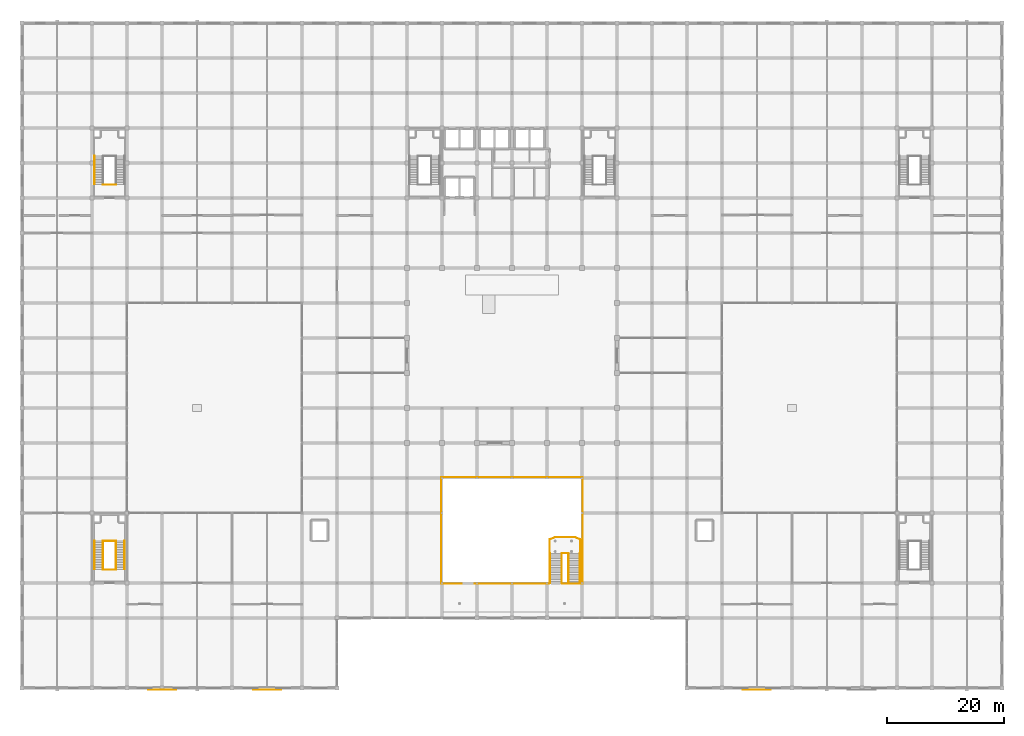
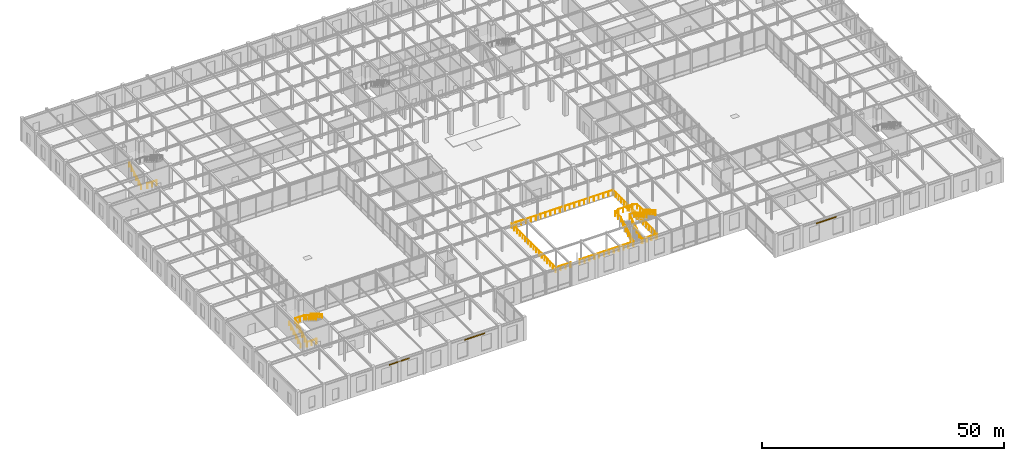
# One storey, part 107 of 108: 15 railings, 3 coverings.
"""IFC4 building model written with IfcOpenShell, lengths in metres."""

from ifc_helpers import new_model, si_unit, direction, frame, origin, origin_2d, place, context, subcontext, project, spatial, rectangle, circle, extrude, material, layer, layer_set, type_object, element, save


model = new_model("IFC4")

# Units and contexts
model_context = context("Model", 3, precision=1e-05, world=origin(), true_north=direction((0.0, 1.0)))
body_context = subcontext(model_context, "Body", "Model", "MODEL_VIEW")
ifc_project = project(units=[si_unit("LENGTHUNIT", "METRE"), si_unit("AREAUNIT", "SQUARE_METRE"), si_unit("VOLUMEUNIT", "CUBIC_METRE"), si_unit("PLANEANGLEUNIT", "RADIAN"), si_unit("MASSUNIT", "GRAM", prefix="KILO")], contexts=[model_context])

# Site, building, storey
site_placement = place(None, origin())
site = spatial("IfcSite", under=ifc_project, at=site_placement, CompositionType="ELEMENT")
building_placement = place(site_placement, origin())
building = spatial("IfcBuilding", under=site, at=building_placement, Name="Zlatovratsky Civic Hall", CompositionType="ELEMENT")
storey_placement = place(building_placement, frame((0.0, 0.0, 6.0)))
storey = spatial("IfcBuildingStorey", under=building, at=storey_placement, Name="L02", CompositionType="ELEMENT", Elevation=6.0)

# Coverings
ifc_material_1 = material(Name="Podolsk limestone ashlar", Category="masonry")
ifc_layer = layer(ifc_material_1, 0.054931640625)
ifc_layer_set = layer_set([ifc_layer], Name="Podolsk limestone ashlar")
covering_type = type_object("IfcCoveringType", Name="Covering_CorniceCladding_55", PredefinedType="CLADDING", material=ifc_layer_set)
for number, where, z_axis, x_axis, name in (
    (1, (24.0, -0.297607421875, 5.009765625), (0.0, 0.0, 1.0), (1.0, 0.0, 0.0), "CLD-005"),
    (2, (42.0, -0.297607421875, 5.009765625), (0.0, 0.0, 1.0), (1.0, 0.0, 0.0), "CLD-006"),
    (3, (126.0, -0.297607421875, 5.009765625), (0.0, 0.0, 1.0), (1.0, 0.0, 0.0), "CLD-007"),
):
    element("IfcCovering", number, at=place(storey_placement, frame(where, z_axis=z_axis, x_axis=x_axis)), inside=storey, type_object=covering_type, Name=name, PredefinedType="CLADDING", context=body_context, shape_type="SweptSolid", body=[
        extrude(rectangle(XDim=4.800048828125, YDim=0.054931640625, at=origin_2d()), origin(), (0.0, 0.0, 1.0), 0.300048828125),
    ])

# Railings
ifc_material_2 = material(Name="Brushed stainless steel AISI 304", Category="steel")
railing_type_1 = type_object("IfcRailingType", Name="Railing_Guardrail_1200", PredefinedType="GUARDRAIL", material=ifc_material_2)
railing_1_placement = place(storey_placement, frame((13.889892578125, 20.35009765625, 0.0)))
element("IfcRailing", 4, at=railing_1_placement, inside=storey, type_object=railing_type_1, Name="RL-0656", PredefinedType="GUARDRAIL", context=body_context, shape_type="SweptSolid", body=[
    extrude(circle(Radius=0.02392578125, at=origin_2d()), frame((0.0, 0.0, 1.17578125), z_axis=(0.0, 0.850207620408, 0.526447530339), x_axis=(-1.0, 0.0, 0.0)), (0.0, 0.0, 1.0), 5.698486328125),
    extrude(circle(Radius=0.02392578125, at=origin_2d()), frame((0.0, 4.844970703125, 4.17578125), z_axis=(1.0, 0.0, 0.0), x_axis=(0.0, 1.0, 0.0)), (0.0, 0.0, 1.0), 2.22021484375),
    extrude(circle(Radius=0.02392578125, at=origin_2d()), frame((2.22021484375, 4.844970703125, 4.17578125), z_axis=(0.0, -0.850207620408, 0.526447530339), x_axis=(1.0, 0.0, 0.0)), (0.0, 0.0, 1.0), 5.698486328125),
    extrude(circle(Radius=0.02099609375, at=origin_2d()), origin(), (0.0, 0.0, 1.0), 1.15185546875),
    extrude(circle(Radius=0.02099609375, at=origin_2d()), frame((0.0, 0.968994140625, 0.60009765625)), (0.0, 0.0, 1.0), 1.15185546875),
    extrude(circle(Radius=0.02099609375, at=origin_2d()), frame((0.0, 1.93798828125, 1.199951171875)), (0.0, 0.0, 1.0), 1.15185546875),
    extrude(circle(Radius=0.02099609375, at=origin_2d()), frame((0.0, 2.906982421875, 1.800048828125)), (0.0, 0.0, 1.0), 1.15185546875),
    extrude(circle(Radius=0.02099609375, at=origin_2d()), frame((0.0, 3.8759765625, 2.39990234375)), (0.0, 0.0, 1.0), 1.15185546875),
    extrude(circle(Radius=0.02099609375, at=origin_2d()), frame((0.0, 4.844970703125, 3.0)), (0.0, 0.0, 1.0), 1.15185546875),
    extrude(circle(Radius=0.02099609375, at=origin_2d()), frame((1.110107421875, 4.844970703125, 3.0)), (0.0, 0.0, 1.0), 1.15185546875),
    extrude(circle(Radius=0.02099609375, at=origin_2d()), frame((2.22021484375, 4.844970703125, 3.0)), (0.0, 0.0, 1.0), 1.15185546875),
    extrude(circle(Radius=0.02099609375, at=origin_2d()), frame((2.22021484375, 3.8759765625, 3.60009765625)), (0.0, 0.0, 1.0), 1.15185546875),
    extrude(circle(Radius=0.02099609375, at=origin_2d()), frame((2.22021484375, 2.906982421875, 4.199951171875)), (0.0, 0.0, 1.0), 1.15185546875),
    extrude(circle(Radius=0.02099609375, at=origin_2d()), frame((2.22021484375, 1.93798828125, 4.800048828125)), (0.0, 0.0, 1.0), 1.15185546875),
    extrude(circle(Radius=0.02099609375, at=origin_2d()), frame((2.22021484375, 0.968994140625, 5.39990234375)), (0.0, 0.0, 1.0), 1.15185546875),
    extrude(circle(Radius=0.02099609375, at=origin_2d()), frame((2.22021484375, 0.0, 6.0)), (0.0, 0.0, 1.0), 1.15185546875),
])
for number, where, name in (
    (5, (13.889892578125, 20.27001953125, 0.0), "RL-0659"),
    (6, (13.889892578125, 86.27001953125, 0.0), "RL-0691"),
):
    element("IfcRailing", number, at=place(storey_placement, frame(where)), inside=storey, type_object=railing_type_1, Name=name, PredefinedType="GUARDRAIL", context=body_context, shape_type="SweptSolid", body=[
        extrude(circle(Radius=0.02392578125, at=origin_2d()), frame((0.0, 0.0, 1.17578125), z_axis=(1.0, 0.0, 0.0), x_axis=(0.0, 1.0, 0.0)), (0.0, 0.0, 1.0), 2.22021484375),
        extrude(circle(Radius=0.02099609375, at=origin_2d()), origin(), (0.0, 0.0, 1.0), 1.15185546875),
        extrude(circle(Radius=0.02099609375, at=origin_2d()), frame((1.110107421875, 0.0, 0.0)), (0.0, 0.0, 1.0), 1.15185546875),
        extrude(circle(Radius=0.02099609375, at=origin_2d()), frame((2.22021484375, 0.0, 0.0)), (0.0, 0.0, 1.0), 1.15185546875),
    ])
railing_2_placement = place(storey_placement, frame((90.47998046875, 23.10009765625, 3.0)))
element("IfcRailing", 7, at=railing_2_placement, inside=storey, type_object=railing_type_1, Name="RL-0719", PredefinedType="GUARDRAIL", context=body_context, shape_type="SweptSolid", body=[
    extrude(circle(Radius=0.02392578125, at=origin_2d()), frame((0.0, 0.0, 1.17578125), z_axis=(0.0, 1.0, 0.0), x_axis=(-1.0, 0.0, 0.0)), (0.0, 0.0, 1.0), 2.35986328125),
    extrude(circle(Radius=0.02392578125, at=origin_2d()), frame((0.0, 2.35986328125, 1.17578125), z_axis=(0.927058431339, 0.374916877298, 0.0), x_axis=(-0.374916877298, 0.927058431339, 0.0)), (0.0, 0.0, 1.0), 1.013916015625),
    extrude(circle(Radius=0.02392578125, at=origin_2d()), frame((0.93994140625, 2.739990234375, 1.17578125), z_axis=(1.0, 0.0, 0.0), x_axis=(0.0, 1.0, 0.0)), (0.0, 0.0, 1.0), 3.360107421875),
    extrude(circle(Radius=0.02392578125, at=origin_2d()), frame((4.300048828125, 2.739990234375, 1.17578125), z_axis=(0.927058431339, -0.374916877298, 0.0), x_axis=(0.374916877298, 0.927058431339, 0.0)), (0.0, 0.0, 1.0), 1.013916015625),
    extrude(circle(Radius=0.02392578125, at=origin_2d()), frame((5.239990234375, 2.35986328125, 1.17578125), z_axis=(0.0, -1.0, 0.0), x_axis=(1.0, 0.0, 0.0)), (0.0, 0.0, 1.0), 2.35986328125),
    extrude(circle(Radius=0.02099609375, at=origin_2d()), origin(), (0.0, 0.0, 1.0), 1.15185546875),
    extrude(circle(Radius=0.02099609375, at=origin_2d()), frame((0.0, 1.179931640625, 0.0)), (0.0, 0.0, 1.0), 1.15185546875),
    extrude(circle(Radius=0.02099609375, at=origin_2d()), frame((0.0, 2.35986328125, 0.0)), (0.0, 0.0, 1.0), 1.15185546875),
    extrude(circle(Radius=0.02099609375, at=origin_2d()), frame((0.93994140625, 2.739990234375, 0.0)), (0.0, 0.0, 1.0), 1.15185546875),
    extrude(circle(Radius=0.02099609375, at=origin_2d()), frame((2.06005859375, 2.739990234375, 0.0)), (0.0, 0.0, 1.0), 1.15185546875),
    extrude(circle(Radius=0.02099609375, at=origin_2d()), frame((3.179931640625, 2.739990234375, 0.0)), (0.0, 0.0, 1.0), 1.15185546875),
    extrude(circle(Radius=0.02099609375, at=origin_2d()), frame((4.300048828125, 2.739990234375, 0.0)), (0.0, 0.0, 1.0), 1.15185546875),
    extrude(circle(Radius=0.02099609375, at=origin_2d()), frame((5.239990234375, 2.35986328125, 0.0)), (0.0, 0.0, 1.0), 1.15185546875),
    extrude(circle(Radius=0.02099609375, at=origin_2d()), frame((5.239990234375, 1.179931640625, 0.0)), (0.0, 0.0, 1.0), 1.15185546875),
    extrude(circle(Radius=0.02099609375, at=origin_2d()), frame((5.239990234375, 0.0, 0.0)), (0.0, 0.0, 1.0), 1.15185546875),
])
railing_3_placement = place(storey_placement, frame((92.52001953125, 18.0, 0.0)))
element("IfcRailing", 8, at=railing_3_placement, inside=storey, type_object=railing_type_1, Name="RL-0720", PredefinedType="GUARDRAIL", context=body_context, shape_type="SweptSolid", body=[
    extrude(circle(Radius=0.02392578125, at=origin_2d()), frame((0.0, 0.0, 1.17578125), z_axis=(0.0, 0.861938457885, 0.507012913858), x_axis=(-1.0, 0.0, 0.0)), (0.0, 0.0, 1.0), 5.9169921875),
    extrude(circle(Radius=0.02392578125, at=origin_2d()), frame((0.0, 5.10009765625, 4.17578125), z_axis=(1.0, 0.0, 0.0), x_axis=(0.0, 1.0, 0.0)), (0.0, 0.0, 1.0), 1.159912109375),
    extrude(circle(Radius=0.02392578125, at=origin_2d()), frame((1.159912109375, 5.10009765625, 4.17578125), z_axis=(0.0, -0.861938457885, 0.507012913858), x_axis=(1.0, 0.0, 0.0)), (0.0, 0.0, 1.0), 5.9169921875),
    extrude(circle(Radius=0.02099609375, at=origin_2d()), origin(), (0.0, 0.0, 1.0), 1.15185546875),
    extrude(circle(Radius=0.02099609375, at=origin_2d()), frame((0.0, 1.02001953125, 0.60009765625)), (0.0, 0.0, 1.0), 1.15185546875),
    extrude(circle(Radius=0.02099609375, at=origin_2d()), frame((0.0, 2.0400390625, 1.199951171875)), (0.0, 0.0, 1.0), 1.15185546875),
    extrude(circle(Radius=0.02099609375, at=origin_2d()), frame((0.0, 3.06005859375, 1.800048828125)), (0.0, 0.0, 1.0), 1.15185546875),
    extrude(circle(Radius=0.02099609375, at=origin_2d()), frame((0.0, 4.080078125, 2.39990234375)), (0.0, 0.0, 1.0), 1.15185546875),
    extrude(circle(Radius=0.02099609375, at=origin_2d()), frame((0.0, 5.10009765625, 3.0)), (0.0, 0.0, 1.0), 1.15185546875),
    extrude(circle(Radius=0.02099609375, at=origin_2d()), frame((1.159912109375, 5.10009765625, 3.0)), (0.0, 0.0, 1.0), 1.15185546875),
    extrude(circle(Radius=0.02099609375, at=origin_2d()), frame((1.159912109375, 4.080078125, 3.60009765625)), (0.0, 0.0, 1.0), 1.15185546875),
    extrude(circle(Radius=0.02099609375, at=origin_2d()), frame((1.159912109375, 3.06005859375, 4.199951171875)), (0.0, 0.0, 1.0), 1.15185546875),
    extrude(circle(Radius=0.02099609375, at=origin_2d()), frame((1.159912109375, 2.0400390625, 4.800048828125)), (0.0, 0.0, 1.0), 1.15185546875),
    extrude(circle(Radius=0.02099609375, at=origin_2d()), frame((1.159912109375, 1.02001953125, 5.39990234375)), (0.0, 0.0, 1.0), 1.15185546875),
    extrude(circle(Radius=0.02099609375, at=origin_2d()), frame((1.159912109375, 0.0, 6.0)), (0.0, 0.0, 1.0), 1.15185546875),
])
railing_4_placement = place(storey_placement, frame((90.47998046875, 18.0, 0.0)))
element("IfcRailing", 9, at=railing_4_placement, inside=storey, type_object=railing_type_1, Name="RL-0721", PredefinedType="GUARDRAIL", context=body_context, shape_type="SweptSolid", body=[
    extrude(circle(Radius=0.02392578125, at=origin_2d()), frame((0.0, 0.0, 1.17578125), z_axis=(0.0, 0.861938457885, 0.507012913858), x_axis=(-1.0, 0.0, 0.0)), (0.0, 0.0, 1.0), 5.9169921875),
    extrude(circle(Radius=0.02099609375, at=origin_2d()), origin(), (0.0, 0.0, 1.0), 1.15185546875),
    extrude(circle(Radius=0.02099609375, at=origin_2d()), frame((0.0, 1.02001953125, 0.60009765625)), (0.0, 0.0, 1.0), 1.15185546875),
    extrude(circle(Radius=0.02099609375, at=origin_2d()), frame((0.0, 2.0400390625, 1.199951171875)), (0.0, 0.0, 1.0), 1.15185546875),
    extrude(circle(Radius=0.02099609375, at=origin_2d()), frame((0.0, 3.06005859375, 1.800048828125)), (0.0, 0.0, 1.0), 1.15185546875),
    extrude(circle(Radius=0.02099609375, at=origin_2d()), frame((0.0, 4.080078125, 2.39990234375)), (0.0, 0.0, 1.0), 1.15185546875),
    extrude(circle(Radius=0.02099609375, at=origin_2d()), frame((0.0, 5.10009765625, 3.0)), (0.0, 0.0, 1.0), 1.15185546875),
])
railing_5_placement = place(storey_placement, frame((95.719970703125, 23.10009765625, 3.0)))
element("IfcRailing", 10, at=railing_5_placement, inside=storey, type_object=railing_type_1, Name="RL-0722", PredefinedType="GUARDRAIL", context=body_context, shape_type="SweptSolid", body=[
    extrude(circle(Radius=0.02392578125, at=origin_2d()), frame((0.0, 0.0, 1.17578125), z_axis=(0.0, -0.861938457885, 0.507012913858), x_axis=(1.0, 0.0, 0.0)), (0.0, 0.0, 1.0), 5.9169921875),
    extrude(circle(Radius=0.02099609375, at=origin_2d()), origin(), (0.0, 0.0, 1.0), 1.15185546875),
    extrude(circle(Radius=0.02099609375, at=origin_2d()), frame((0.0, -1.02001953125, 0.60009765625)), (0.0, 0.0, 1.0), 1.15185546875),
    extrude(circle(Radius=0.02099609375, at=origin_2d()), frame((0.0, -2.0400390625, 1.199951171875)), (0.0, 0.0, 1.0), 1.15185546875),
    extrude(circle(Radius=0.02099609375, at=origin_2d()), frame((0.0, -3.06005859375, 1.800048828125)), (0.0, 0.0, 1.0), 1.15185546875),
    extrude(circle(Radius=0.02099609375, at=origin_2d()), frame((0.0, -4.080078125, 2.39990234375)), (0.0, 0.0, 1.0), 1.15185546875),
    extrude(circle(Radius=0.02099609375, at=origin_2d()), frame((0.0, -5.10009765625, 3.0)), (0.0, 0.0, 1.0), 1.15185546875),
])
railing_6_placement = place(storey_placement, frame((75.39990234375, 17.8798828125, 0.0)))
element("IfcRailing", 11, at=railing_6_placement, inside=storey, type_object=railing_type_1, Name="RL-0725", PredefinedType="GUARDRAIL", context=body_context, shape_type="SweptSolid", body=[
    extrude(circle(Radius=0.02392578125, at=origin_2d()), frame((0.0, 0.0, 1.17578125), z_axis=(-1.0, 0.0, 0.0), x_axis=(0.0, -1.0, 0.0)), (0.0, 0.0, 1.0), 3.52001953125),
    extrude(circle(Radius=0.02392578125, at=origin_2d()), frame((-3.52001953125, 0.0, 1.17578125), z_axis=(0.0, 1.0, 0.0), x_axis=(-1.0, 0.0, 0.0)), (0.0, 0.0, 1.0), 18.240234375),
    extrude(circle(Radius=0.02392578125, at=origin_2d()), frame((-3.52001953125, 18.240234375, 1.17578125), z_axis=(1.0, 0.0, 0.0), x_axis=(0.0, 1.0, 0.0)), (0.0, 0.0, 1.0), 24.240234375),
    extrude(circle(Radius=0.02392578125, at=origin_2d()), frame((20.72021484375, 18.240234375, 1.17578125), z_axis=(0.0, -1.0, 0.0), x_axis=(1.0, 0.0, 0.0)), (0.0, 0.0, 1.0), 18.240234375),
    extrude(circle(Radius=0.02392578125, at=origin_2d()), frame((20.72021484375, 0.0, 1.17578125), z_axis=(-1.0, 0.0, 0.0), x_axis=(0.0, -1.0, 0.0)), (0.0, 0.0, 1.0), 0.320068359375),
    extrude(circle(Radius=0.02099609375, at=origin_2d()), origin(), (0.0, 0.0, 1.0), 1.15185546875),
    extrude(circle(Radius=0.02099609375, at=origin_2d()), frame((-1.17333984375, 0.0, 0.0)), (0.0, 0.0, 1.0), 1.15185546875),
    extrude(circle(Radius=0.02099609375, at=origin_2d()), frame((-2.3466796875, 0.0, 0.0)), (0.0, 0.0, 1.0), 1.15185546875),
    extrude(circle(Radius=0.02099609375, at=origin_2d()), frame((-3.52001953125, 0.0, 0.0)), (0.0, 0.0, 1.0), 1.15185546875),
    extrude(circle(Radius=0.02099609375, at=origin_2d()), frame((-3.52001953125, 1.14013671875, 0.0)), (0.0, 0.0, 1.0), 1.15185546875),
    extrude(circle(Radius=0.02099609375, at=origin_2d()), frame((-3.52001953125, 2.280029296875, 0.0)), (0.0, 0.0, 1.0), 1.15185546875),
    extrude(circle(Radius=0.02099609375, at=origin_2d()), frame((-3.52001953125, 3.419921875, 0.0)), (0.0, 0.0, 1.0), 1.15185546875),
    extrude(circle(Radius=0.02099609375, at=origin_2d()), frame((-3.52001953125, 4.56005859375, 0.0)), (0.0, 0.0, 1.0), 1.15185546875),
    extrude(circle(Radius=0.02099609375, at=origin_2d()), frame((-3.52001953125, 5.7001953125, 0.0)), (0.0, 0.0, 1.0), 1.15185546875),
    extrude(circle(Radius=0.02099609375, at=origin_2d()), frame((-3.52001953125, 6.840087890625, 0.0)), (0.0, 0.0, 1.0), 1.15185546875),
    extrude(circle(Radius=0.02099609375, at=origin_2d()), frame((-3.52001953125, 7.97998046875, 0.0)), (0.0, 0.0, 1.0), 1.15185546875),
    extrude(circle(Radius=0.02099609375, at=origin_2d()), frame((-3.52001953125, 9.1201171875, 0.0)), (0.0, 0.0, 1.0), 1.15185546875),
    extrude(circle(Radius=0.02099609375, at=origin_2d()), frame((-3.52001953125, 10.26025390625, 0.0)), (0.0, 0.0, 1.0), 1.15185546875),
    extrude(circle(Radius=0.02099609375, at=origin_2d()), frame((-3.52001953125, 11.400146484375, 0.0)), (0.0, 0.0, 1.0), 1.15185546875),
    extrude(circle(Radius=0.02099609375, at=origin_2d()), frame((-3.52001953125, 12.5400390625, 0.0)), (0.0, 0.0, 1.0), 1.15185546875),
    extrude(circle(Radius=0.02099609375, at=origin_2d()), frame((-3.52001953125, 13.68017578125, 0.0)), (0.0, 0.0, 1.0), 1.15185546875),
    extrude(circle(Radius=0.02099609375, at=origin_2d()), frame((-3.52001953125, 14.8203125, 0.0)), (0.0, 0.0, 1.0), 1.15185546875),
    extrude(circle(Radius=0.02099609375, at=origin_2d()), frame((-3.52001953125, 15.960205078125, 0.0)), (0.0, 0.0, 1.0), 1.15185546875),
    extrude(circle(Radius=0.02099609375, at=origin_2d()), frame((-3.52001953125, 17.10009765625, 0.0)), (0.0, 0.0, 1.0), 1.15185546875),
    extrude(circle(Radius=0.02099609375, at=origin_2d()), frame((-3.52001953125, 18.240234375, 0.0)), (0.0, 0.0, 1.0), 1.15185546875),
    extrude(circle(Radius=0.02099609375, at=origin_2d()), frame((-2.36572265625, 18.240234375, 0.0)), (0.0, 0.0, 1.0), 1.15185546875),
    extrude(circle(Radius=0.02099609375, at=origin_2d()), frame((-1.21142578125, 18.240234375, 0.0)), (0.0, 0.0, 1.0), 1.15185546875),
    extrude(circle(Radius=0.02099609375, at=origin_2d()), frame((-0.05712890625, 18.240234375, 0.0)), (0.0, 0.0, 1.0), 1.15185546875),
    extrude(circle(Radius=0.02099609375, at=origin_2d()), frame((1.09716796875, 18.240234375, 0.0)), (0.0, 0.0, 1.0), 1.15185546875),
    extrude(circle(Radius=0.02099609375, at=origin_2d()), frame((2.25146484375, 18.240234375, 0.0)), (0.0, 0.0, 1.0), 1.15185546875),
    extrude(circle(Radius=0.02099609375, at=origin_2d()), frame((3.40576171875, 18.240234375, 0.0)), (0.0, 0.0, 1.0), 1.15185546875),
    extrude(circle(Radius=0.02099609375, at=origin_2d()), frame((4.56005859375, 18.240234375, 0.0)), (0.0, 0.0, 1.0), 1.15185546875),
    extrude(circle(Radius=0.02099609375, at=origin_2d()), frame((5.71435546875, 18.240234375, 0.0)), (0.0, 0.0, 1.0), 1.15185546875),
    extrude(circle(Radius=0.02099609375, at=origin_2d()), frame((6.86865234375, 18.240234375, 0.0)), (0.0, 0.0, 1.0), 1.15185546875),
    extrude(circle(Radius=0.02099609375, at=origin_2d()), frame((8.02294921875, 18.240234375, 0.0)), (0.0, 0.0, 1.0), 1.15185546875),
    extrude(circle(Radius=0.02099609375, at=origin_2d()), frame((9.17724609375, 18.240234375, 0.0)), (0.0, 0.0, 1.0), 1.15185546875),
    extrude(circle(Radius=0.02099609375, at=origin_2d()), frame((10.33154296875, 18.240234375, 0.0)), (0.0, 0.0, 1.0), 1.15185546875),
    extrude(circle(Radius=0.02099609375, at=origin_2d()), frame((11.48583984375, 18.240234375, 0.0)), (0.0, 0.0, 1.0), 1.15185546875),
    extrude(circle(Radius=0.02099609375, at=origin_2d()), frame((12.64013671875, 18.240234375, 0.0)), (0.0, 0.0, 1.0), 1.15185546875),
    extrude(circle(Radius=0.02099609375, at=origin_2d()), frame((13.79443359375, 18.240234375, 0.0)), (0.0, 0.0, 1.0), 1.15185546875),
    extrude(circle(Radius=0.02099609375, at=origin_2d()), frame((14.94873046875, 18.240234375, 0.0)), (0.0, 0.0, 1.0), 1.15185546875),
    extrude(circle(Radius=0.02099609375, at=origin_2d()), frame((16.10302734375, 18.240234375, 0.0)), (0.0, 0.0, 1.0), 1.15185546875),
    extrude(circle(Radius=0.02099609375, at=origin_2d()), frame((17.25732421875, 18.240234375, 0.0)), (0.0, 0.0, 1.0), 1.15185546875),
    extrude(circle(Radius=0.02099609375, at=origin_2d()), frame((18.41162109375, 18.240234375, 0.0)), (0.0, 0.0, 1.0), 1.15185546875),
    extrude(circle(Radius=0.02099609375, at=origin_2d()), frame((19.56591796875, 18.240234375, 0.0)), (0.0, 0.0, 1.0), 1.15185546875),
    extrude(circle(Radius=0.02099609375, at=origin_2d()), frame((20.72021484375, 18.240234375, 0.0)), (0.0, 0.0, 1.0), 1.15185546875),
    extrude(circle(Radius=0.02099609375, at=origin_2d()), frame((20.72021484375, 17.10009765625, 0.0)), (0.0, 0.0, 1.0), 1.15185546875),
    extrude(circle(Radius=0.02099609375, at=origin_2d()), frame((20.72021484375, 15.960205078125, 0.0)), (0.0, 0.0, 1.0), 1.15185546875),
    extrude(circle(Radius=0.02099609375, at=origin_2d()), frame((20.72021484375, 14.8203125, 0.0)), (0.0, 0.0, 1.0), 1.15185546875),
    extrude(circle(Radius=0.02099609375, at=origin_2d()), frame((20.72021484375, 13.68017578125, 0.0)), (0.0, 0.0, 1.0), 1.15185546875),
    extrude(circle(Radius=0.02099609375, at=origin_2d()), frame((20.72021484375, 12.5400390625, 0.0)), (0.0, 0.0, 1.0), 1.15185546875),
    extrude(circle(Radius=0.02099609375, at=origin_2d()), frame((20.72021484375, 11.400146484375, 0.0)), (0.0, 0.0, 1.0), 1.15185546875),
    extrude(circle(Radius=0.02099609375, at=origin_2d()), frame((20.72021484375, 10.26025390625, 0.0)), (0.0, 0.0, 1.0), 1.15185546875),
    extrude(circle(Radius=0.02099609375, at=origin_2d()), frame((20.72021484375, 9.1201171875, 0.0)), (0.0, 0.0, 1.0), 1.15185546875),
    extrude(circle(Radius=0.02099609375, at=origin_2d()), frame((20.72021484375, 7.97998046875, 0.0)), (0.0, 0.0, 1.0), 1.15185546875),
    extrude(circle(Radius=0.02099609375, at=origin_2d()), frame((20.72021484375, 6.840087890625, 0.0)), (0.0, 0.0, 1.0), 1.15185546875),
    extrude(circle(Radius=0.02099609375, at=origin_2d()), frame((20.72021484375, 5.7001953125, 0.0)), (0.0, 0.0, 1.0), 1.15185546875),
    extrude(circle(Radius=0.02099609375, at=origin_2d()), frame((20.72021484375, 4.56005859375, 0.0)), (0.0, 0.0, 1.0), 1.15185546875),
    extrude(circle(Radius=0.02099609375, at=origin_2d()), frame((20.72021484375, 3.419921875, 0.0)), (0.0, 0.0, 1.0), 1.15185546875),
    extrude(circle(Radius=0.02099609375, at=origin_2d()), frame((20.72021484375, 2.280029296875, 0.0)), (0.0, 0.0, 1.0), 1.15185546875),
    extrude(circle(Radius=0.02099609375, at=origin_2d()), frame((20.72021484375, 1.14013671875, 0.0)), (0.0, 0.0, 1.0), 1.15185546875),
    extrude(circle(Radius=0.02099609375, at=origin_2d()), frame((20.72021484375, 0.0, 0.0)), (0.0, 0.0, 1.0), 1.15185546875),
    extrude(circle(Radius=0.02099609375, at=origin_2d()), frame((20.400146484375, 0.0, 0.0)), (0.0, 0.0, 1.0), 1.15185546875),
])
railing_7_placement = place(storey_placement, frame((77.60009765625, 17.8798828125, 0.0)))
element("IfcRailing", 12, at=railing_7_placement, inside=storey, type_object=railing_type_1, Name="RL-0726", PredefinedType="GUARDRAIL", context=body_context, shape_type="SweptSolid", body=[
    extrude(circle(Radius=0.02392578125, at=origin_2d()), frame((0.0, 0.0, 1.17578125), z_axis=(1.0, 0.0, 0.0), x_axis=(0.0, 1.0, 0.0)), (0.0, 0.0, 1.0), 12.7998046875),
    extrude(circle(Radius=0.02099609375, at=origin_2d()), origin(), (0.0, 0.0, 1.0), 1.15185546875),
    extrude(circle(Radius=0.02099609375, at=origin_2d()), frame((1.16357421875, 0.0, 0.0)), (0.0, 0.0, 1.0), 1.15185546875),
    extrude(circle(Radius=0.02099609375, at=origin_2d()), frame((2.3271484375, 0.0, 0.0)), (0.0, 0.0, 1.0), 1.15185546875),
    extrude(circle(Radius=0.02099609375, at=origin_2d()), frame((3.490966796875, 0.0, 0.0)), (0.0, 0.0, 1.0), 1.15185546875),
    extrude(circle(Radius=0.02099609375, at=origin_2d()), frame((4.654541015625, 0.0, 0.0)), (0.0, 0.0, 1.0), 1.15185546875),
    extrude(circle(Radius=0.02099609375, at=origin_2d()), frame((5.818115234375, 0.0, 0.0)), (0.0, 0.0, 1.0), 1.15185546875),
    extrude(circle(Radius=0.02099609375, at=origin_2d()), frame((6.981689453125, 0.0, 0.0)), (0.0, 0.0, 1.0), 1.15185546875),
    extrude(circle(Radius=0.02099609375, at=origin_2d()), frame((8.145263671875, 0.0, 0.0)), (0.0, 0.0, 1.0), 1.15185546875),
    extrude(circle(Radius=0.02099609375, at=origin_2d()), frame((9.308837890625, 0.0, 0.0)), (0.0, 0.0, 1.0), 1.15185546875),
    extrude(circle(Radius=0.02099609375, at=origin_2d()), frame((10.47265625, 0.0, 0.0)), (0.0, 0.0, 1.0), 1.15185546875),
    extrude(circle(Radius=0.02099609375, at=origin_2d()), frame((11.63623046875, 0.0, 0.0)), (0.0, 0.0, 1.0), 1.15185546875),
    extrude(circle(Radius=0.02099609375, at=origin_2d()), frame((12.7998046875, 0.0, 0.0)), (0.0, 0.0, 1.0), 1.15185546875),
])
railing_8_placement = place(storey_placement, frame((92.60009765625, 17.8798828125, 0.0)))
element("IfcRailing", 13, at=railing_8_placement, inside=storey, type_object=railing_type_1, Name="RL-0727", PredefinedType="GUARDRAIL", context=body_context, shape_type="SweptSolid", body=[
    extrude(circle(Radius=0.02392578125, at=origin_2d()), frame((0.0, 0.0, 1.17578125), z_axis=(1.0, 0.0, 0.0), x_axis=(0.0, 1.0, 0.0)), (0.0, 0.0, 1.0), 3.199951171875),
    extrude(circle(Radius=0.02099609375, at=origin_2d()), origin(), (0.0, 0.0, 1.0), 1.15185546875),
    extrude(circle(Radius=0.02099609375, at=origin_2d()), frame((1.066650390625, 0.0, 0.0)), (0.0, 0.0, 1.0), 1.15185546875),
    extrude(circle(Radius=0.02099609375, at=origin_2d()), frame((2.13330078125, 0.0, 0.0)), (0.0, 0.0, 1.0), 1.15185546875),
    extrude(circle(Radius=0.02099609375, at=origin_2d()), frame((3.199951171875, 0.0, 0.0)), (0.0, 0.0, 1.0), 1.15185546875),
])
railing_type_2 = type_object("IfcRailingType", Name="Railing_Handrail_900", PredefinedType="HANDRAIL", material=ifc_material_2)
railing_9_placement = place(storey_placement, frame((12.429931640625, 20.35009765625, 0.1669921875)))
element("IfcRailing", 14, at=railing_9_placement, inside=storey, type_object=railing_type_2, Name="RL-0657", PredefinedType="HANDRAIL", context=body_context, shape_type="SweptSolid", body=[
    extrude(circle(Radius=0.02392578125, at=origin_2d()), frame((0.0, 0.0, 0.8759765625), z_axis=(0.0, 0.86325305323, 0.504771399833), x_axis=(-1.0, 0.0, 0.0)), (0.0, 0.0, 1.0), 5.612548828125),
    extrude(circle(Radius=0.02099609375, at=origin_2d()), origin(), (0.0, 0.0, 1.0), 0.851806640625),
    extrude(circle(Radius=0.02099609375, at=origin_2d()), frame((0.0, 0.968994140625, 0.566650390625)), (0.0, 0.0, 1.0), 0.851806640625),
    extrude(circle(Radius=0.02099609375, at=origin_2d()), frame((0.0, 1.93798828125, 1.13330078125)), (0.0, 0.0, 1.0), 0.851806640625),
    extrude(circle(Radius=0.02099609375, at=origin_2d()), frame((0.0, 2.906982421875, 1.69970703125)), (0.0, 0.0, 1.0), 0.851806640625),
    extrude(circle(Radius=0.02099609375, at=origin_2d()), frame((0.0, 3.8759765625, 2.266357421875)), (0.0, 0.0, 1.0), 0.851806640625),
    extrude(circle(Radius=0.02099609375, at=origin_2d()), frame((0.0, 4.844970703125, 2.8330078125)), (0.0, 0.0, 1.0), 0.851806640625),
])
railing_10_placement = place(storey_placement, frame((17.570068359375, 25.195068359375, 3.1669921875)))
element("IfcRailing", 15, at=railing_10_placement, inside=storey, type_object=railing_type_2, Name="RL-0658", PredefinedType="HANDRAIL", context=body_context, shape_type="SweptSolid", body=[
    extrude(circle(Radius=0.02392578125, at=origin_2d()), frame((0.0, 0.0, 0.8759765625), z_axis=(0.0, -0.86325305323, 0.504771399833), x_axis=(1.0, 0.0, 0.0)), (0.0, 0.0, 1.0), 5.612548828125),
    extrude(circle(Radius=0.02099609375, at=origin_2d()), origin(), (0.0, 0.0, 1.0), 0.851806640625),
    extrude(circle(Radius=0.02099609375, at=origin_2d()), frame((0.0, -0.968994140625, 0.566650390625)), (0.0, 0.0, 1.0), 0.851806640625),
    extrude(circle(Radius=0.02099609375, at=origin_2d()), frame((0.0, -1.93798828125, 1.13330078125)), (0.0, 0.0, 1.0), 0.851806640625),
    extrude(circle(Radius=0.02099609375, at=origin_2d()), frame((0.0, -2.906982421875, 1.69970703125)), (0.0, 0.0, 1.0), 0.851806640625),
    extrude(circle(Radius=0.02099609375, at=origin_2d()), frame((0.0, -3.8759765625, 2.266357421875)), (0.0, 0.0, 1.0), 0.851806640625),
    extrude(circle(Radius=0.02099609375, at=origin_2d()), frame((0.0, -4.844970703125, 2.8330078125)), (0.0, 0.0, 1.0), 0.851806640625),
])
railing_11_placement = place(storey_placement, frame((12.429931640625, 86.35009765625, 0.1669921875)))
element("IfcRailing", 16, at=railing_11_placement, inside=storey, type_object=railing_type_2, Name="RL-0689", PredefinedType="HANDRAIL", context=body_context, shape_type="SweptSolid", body=[
    extrude(circle(Radius=0.02392578125, at=origin_2d()), frame((0.0, 0.0, 0.8759765625), z_axis=(0.0, 0.86325305323, 0.504771399833), x_axis=(-1.0, 0.0, 0.0)), (0.0, 0.0, 1.0), 5.612548828125),
    extrude(circle(Radius=0.02099609375, at=origin_2d()), origin(), (0.0, 0.0, 1.0), 0.851806640625),
    extrude(circle(Radius=0.02099609375, at=origin_2d()), frame((0.0, 0.968994140625, 0.566650390625)), (0.0, 0.0, 1.0), 0.851806640625),
    extrude(circle(Radius=0.02099609375, at=origin_2d()), frame((0.0, 1.93798828125, 1.13330078125)), (0.0, 0.0, 1.0), 0.851806640625),
    extrude(circle(Radius=0.02099609375, at=origin_2d()), frame((0.0, 2.906982421875, 1.69970703125)), (0.0, 0.0, 1.0), 0.851806640625),
    extrude(circle(Radius=0.02099609375, at=origin_2d()), frame((0.0, 3.8759765625, 2.266357421875)), (0.0, 0.0, 1.0), 0.851806640625),
    extrude(circle(Radius=0.02099609375, at=origin_2d()), frame((0.0, 4.844970703125, 2.8330078125)), (0.0, 0.0, 1.0), 0.851806640625),
])
railing_12_placement = place(storey_placement, frame((90.5400390625, 18.0, 0.1669921875)))
element("IfcRailing", 17, at=railing_12_placement, inside=storey, type_object=railing_type_2, Name="RL-0723", PredefinedType="HANDRAIL", context=body_context, shape_type="SweptSolid", body=[
    extrude(circle(Radius=0.02392578125, at=origin_2d()), frame((0.0, 0.0, 0.8759765625), z_axis=(0.0, 0.874184909552, 0.485593187671), x_axis=(-1.0, 0.0, 0.0)), (0.0, 0.0, 1.0), 5.834228515625),
    extrude(circle(Radius=0.02099609375, at=origin_2d()), origin(), (0.0, 0.0, 1.0), 0.851806640625),
    extrude(circle(Radius=0.02099609375, at=origin_2d()), frame((0.0, 1.02001953125, 0.566650390625)), (0.0, 0.0, 1.0), 0.851806640625),
    extrude(circle(Radius=0.02099609375, at=origin_2d()), frame((0.0, 2.0400390625, 1.13330078125)), (0.0, 0.0, 1.0), 0.851806640625),
    extrude(circle(Radius=0.02099609375, at=origin_2d()), frame((0.0, 3.06005859375, 1.69970703125)), (0.0, 0.0, 1.0), 0.851806640625),
    extrude(circle(Radius=0.02099609375, at=origin_2d()), frame((0.0, 4.080078125, 2.266357421875)), (0.0, 0.0, 1.0), 0.851806640625),
    extrude(circle(Radius=0.02099609375, at=origin_2d()), frame((0.0, 5.10009765625, 2.8330078125)), (0.0, 0.0, 1.0), 0.851806640625),
])
railing_13_placement = place(storey_placement, frame((95.659912109375, 23.10009765625, 3.1669921875)))
element("IfcRailing", 18, at=railing_13_placement, inside=storey, type_object=railing_type_2, Name="RL-0724", PredefinedType="HANDRAIL", context=body_context, shape_type="SweptSolid", body=[
    extrude(circle(Radius=0.02392578125, at=origin_2d()), frame((0.0, 0.0, 0.8759765625), z_axis=(0.0, -0.874184909552, 0.485593187671), x_axis=(1.0, 0.0, 0.0)), (0.0, 0.0, 1.0), 5.834228515625),
    extrude(circle(Radius=0.02099609375, at=origin_2d()), origin(), (0.0, 0.0, 1.0), 0.851806640625),
    extrude(circle(Radius=0.02099609375, at=origin_2d()), frame((0.0, -1.02001953125, 0.566650390625)), (0.0, 0.0, 1.0), 0.851806640625),
    extrude(circle(Radius=0.02099609375, at=origin_2d()), frame((0.0, -2.0400390625, 1.13330078125)), (0.0, 0.0, 1.0), 0.851806640625),
    extrude(circle(Radius=0.02099609375, at=origin_2d()), frame((0.0, -3.06005859375, 1.69970703125)), (0.0, 0.0, 1.0), 0.851806640625),
    extrude(circle(Radius=0.02099609375, at=origin_2d()), frame((0.0, -4.080078125, 2.266357421875)), (0.0, 0.0, 1.0), 0.851806640625),
    extrude(circle(Radius=0.02099609375, at=origin_2d()), frame((0.0, -5.10009765625, 2.8330078125)), (0.0, 0.0, 1.0), 0.851806640625),
])

save(model, "model.ifc")
